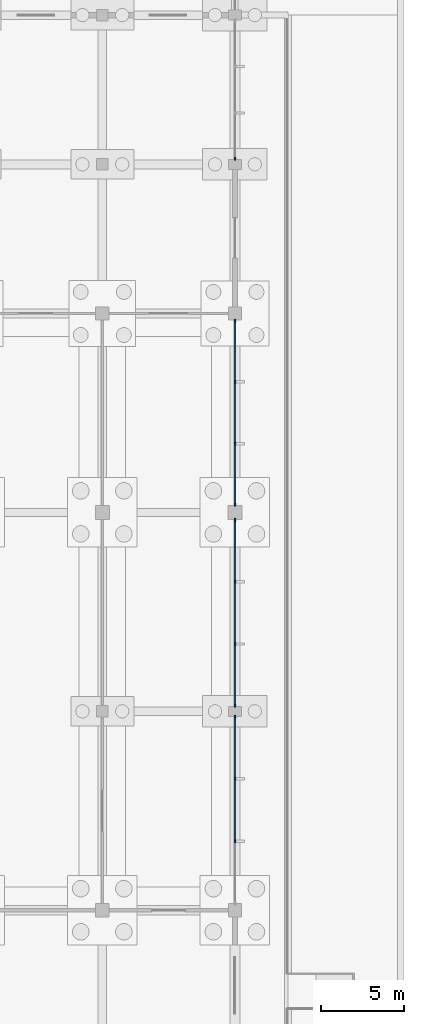
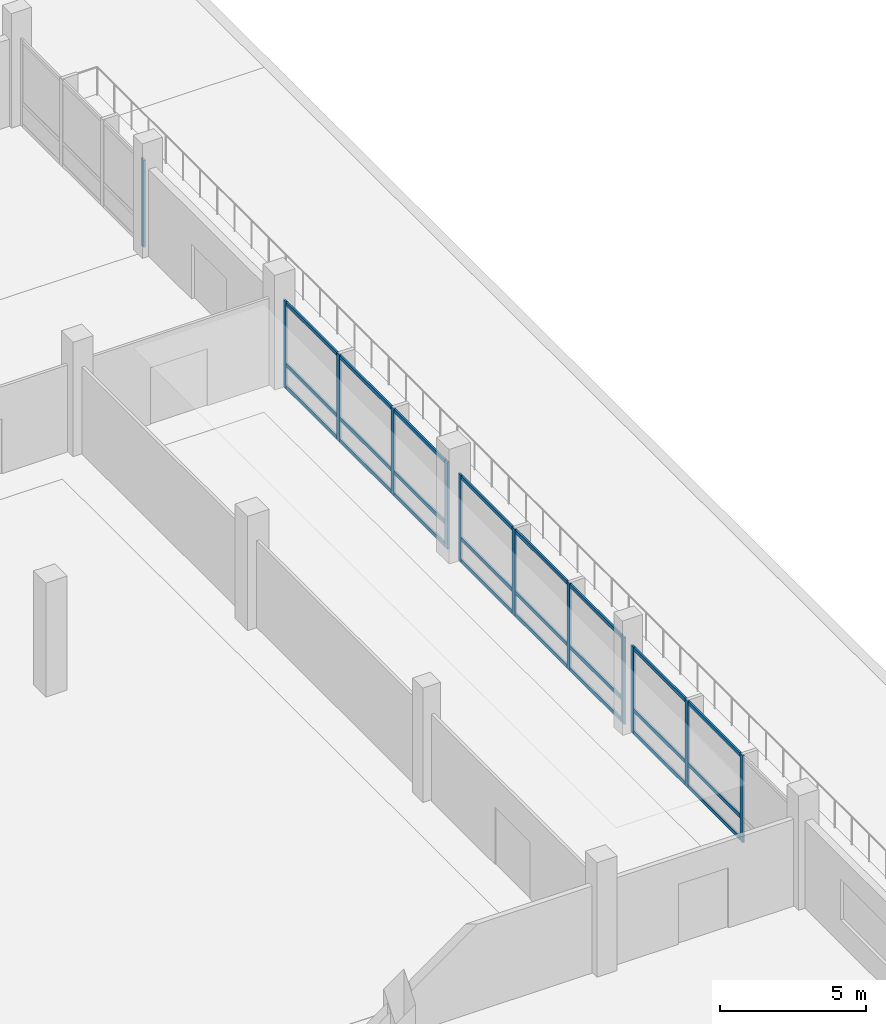
# One storey, part 33 of 72: 36 members, 4 elements without a shape of their own.
"""IFC4 building model written with IfcOpenShell, lengths in metres."""

from ifc_helpers import new_model, si_unit, direction, frame, origin, origin_2d, place, context, subcontext, project, spatial, rectangle, extrude, material, material_profile, profile_set, type_object, element, aggregate, save


model = new_model("IFC4")

# Units and contexts
model_context = context("Model", 3, precision=1e-05, world=origin(), true_north=direction((0.0, 1.0)))
body_context = subcontext(model_context, "Body", "Model", "MODEL_VIEW")
ifc_project = project(units=[si_unit("LENGTHUNIT", "METRE"), si_unit("AREAUNIT", "SQUARE_METRE"), si_unit("VOLUMEUNIT", "CUBIC_METRE"), si_unit("PLANEANGLEUNIT", "RADIAN"), si_unit("MASSUNIT", "GRAM", prefix="KILO"), si_unit("THERMODYNAMICTEMPERATUREUNIT", "KELVIN"), si_unit("POWERUNIT", "WATT")], contexts=[model_context])

# Site, building, storey
site_placement = place(None, origin())
site = spatial("IfcSite", under=ifc_project, at=site_placement, CompositionType="ELEMENT")
building_placement = place(site_placement, origin())
building = spatial("IfcBuilding", under=site, at=building_placement, Name="Kronsvod Quay Wholesale Market", CompositionType="ELEMENT")
storey_placement = place(building_placement, origin())
storey = spatial("IfcBuildingStorey", under=building, at=storey_placement, Name="L00", CompositionType="ELEMENT", Elevation=0.0)

# Curtain wall, members
ifc_material_1 = material(Name="Thermally broken aluminium and triple low-E glazing", Category="aluminium")
curtain_wall_type_1 = type_object("IfcCurtainWallType", Name="CW_Flower120x32", PredefinedType="NOTDEFINED", material=ifc_material_1)
curtain_wall_1_placement = place(storey_placement, origin())
curtain_wall_1 = element("IfcCurtainWall", 1, at=curtain_wall_1_placement, inside=storey, type_object=curtain_wall_type_1, Name="CWGY-L00-1920-540", PredefinedType="NOTDEFINED")
ifc_material_2 = material(Name="Anodised aluminium", Category="aluminium")
ifc_material_profile_1 = material_profile(ifc_material_2, rectangle(XDim=0.074951171875, YDim=0.199951171875, at=origin_2d()), Name="ALUM75x200")
ifc_profile_set_1 = profile_set([ifc_material_profile_1], Name="Anodised aluminium")
member_type_1 = type_object("IfcMemberType", Name="Mullion_ALU75x200", PredefinedType="MULLION", material=ifc_profile_set_1)
member_1_placement = place(storey_placement, frame((192.0, 58.1650390625, 0.0), z_axis=(0.0, 0.0, 1.0), x_axis=(1.0, 0.0, 0.0)))
member_1 = element("IfcMember", 2, at=member_1_placement, type_object=member_type_1, Name="CWGY-L00-1920-540-M2", PredefinedType="MULLION", context=body_context, shape_type="SweptSolid", body=[
    extrude(rectangle(XDim=0.074951171875, YDim=0.199951171875, at=origin_2d()), origin(), (0.0, 0.0, 1.0), 3.64990234375),
])
member_2_placement = place(storey_placement, frame((192.0, 61.93505859375, 0.0), z_axis=(0.0, 0.0, 1.0), x_axis=(1.0, 0.0, 0.0)))
member_2 = element("IfcMember", 3, at=member_2_placement, type_object=member_type_1, Name="CWGY-L00-1920-540-M3", PredefinedType="MULLION", context=body_context, shape_type="SweptSolid", body=[
    extrude(rectangle(XDim=0.074951171875, YDim=0.199951171875, at=origin_2d()), origin(), (0.0, 0.0, 1.0), 3.64990234375),
])
member_3_placement = place(storey_placement, frame((192.0, 65.66748046875, 0.0), z_axis=(0.0, 0.0, 1.0), x_axis=(1.0, 0.0, 0.0)))
member_3 = element("IfcMember", 4, at=member_3_placement, type_object=member_type_1, Name="CWGY-L00-1920-540-M4", PredefinedType="MULLION", context=body_context, shape_type="SweptSolid", body=[
    extrude(rectangle(XDim=0.074951171875, YDim=0.199951171875, at=origin_2d()), origin(), (0.0, 0.0, 1.0), 3.64990234375),
])

curtain_wall_2_placement = place(storey_placement, origin())
curtain_wall_2 = element("IfcCurtainWall", 5, at=curtain_wall_2_placement, inside=storey, type_object=curtain_wall_type_1, Name="CWGY-L00-1920-660", PredefinedType="NOTDEFINED")
member_4_placement = place(storey_placement, frame((192.0, 66.33251953125, 0.0), z_axis=(0.0, 0.0, 1.0), x_axis=(1.0, 0.0, 0.0)))
member_4 = element("IfcMember", 6, at=member_4_placement, type_object=member_type_1, Name="CWGY-L00-1920-660-M1", PredefinedType="MULLION", context=body_context, shape_type="SweptSolid", body=[
    extrude(rectangle(XDim=0.074951171875, YDim=0.199951171875, at=origin_2d()), origin(), (0.0, 0.0, 1.0), 3.64990234375),
])
member_5_placement = place(storey_placement, frame((192.0, 70.056640625, 0.0), z_axis=(0.0, 0.0, 1.0), x_axis=(1.0, 0.0, 0.0)))
member_5 = element("IfcMember", 7, at=member_5_placement, type_object=member_type_1, Name="CWGY-L00-1920-660-M2", PredefinedType="MULLION", context=body_context, shape_type="SweptSolid", body=[
    extrude(rectangle(XDim=0.074951171875, YDim=0.199951171875, at=origin_2d()), origin(), (0.0, 0.0, 1.0), 3.64990234375),
])
member_6_placement = place(storey_placement, frame((192.0, 73.818359375, 0.0), z_axis=(0.0, 0.0, 1.0), x_axis=(1.0, 0.0, 0.0)))
member_6 = element("IfcMember", 8, at=member_6_placement, type_object=member_type_1, Name="CWGY-L00-1920-660-M3", PredefinedType="MULLION", context=body_context, shape_type="SweptSolid", body=[
    extrude(rectangle(XDim=0.074951171875, YDim=0.199951171875, at=origin_2d()), origin(), (0.0, 0.0, 1.0), 3.64990234375),
])
member_7_placement = place(storey_placement, frame((192.0, 77.54248046875, 0.0), z_axis=(0.0, 0.0, 1.0), x_axis=(1.0, 0.0, 0.0)))
member_7 = element("IfcMember", 9, at=member_7_placement, type_object=member_type_1, Name="CWGY-L00-1920-660-M4", PredefinedType="MULLION", context=body_context, shape_type="SweptSolid", body=[
    extrude(rectangle(XDim=0.074951171875, YDim=0.199951171875, at=origin_2d()), origin(), (0.0, 0.0, 1.0), 3.64990234375),
])

curtain_wall_3_placement = place(storey_placement, origin())
curtain_wall_3 = element("IfcCurtainWall", 10, at=curtain_wall_3_placement, inside=storey, type_object=curtain_wall_type_1, Name="CWGY-L00-1920-780", PredefinedType="NOTDEFINED")
member_8_placement = place(storey_placement, frame((192.0, 78.45751953125, 0.0), z_axis=(0.0, 0.0, 1.0), x_axis=(1.0, 0.0, 0.0)))
member_8 = element("IfcMember", 11, at=member_8_placement, type_object=member_type_1, Name="CWGY-L00-1920-780-M1", PredefinedType="MULLION", context=body_context, shape_type="SweptSolid", body=[
    extrude(rectangle(XDim=0.074951171875, YDim=0.199951171875, at=origin_2d()), origin(), (0.0, 0.0, 1.0), 3.64990234375),
])
member_9_placement = place(storey_placement, frame((192.0, 82.1484375, 0.0), z_axis=(0.0, 0.0, 1.0), x_axis=(1.0, 0.0, 0.0)))
member_9 = element("IfcMember", 12, at=member_9_placement, type_object=member_type_1, Name="CWGY-L00-1920-780-M2", PredefinedType="MULLION", context=body_context, shape_type="SweptSolid", body=[
    extrude(rectangle(XDim=0.074951171875, YDim=0.199951171875, at=origin_2d()), origin(), (0.0, 0.0, 1.0), 3.64990234375),
])
member_10_placement = place(storey_placement, frame((192.0, 85.876708984375, 0.0), z_axis=(0.0, 0.0, 1.0), x_axis=(1.0, 0.0, 0.0)))
member_10 = element("IfcMember", 13, at=member_10_placement, type_object=member_type_1, Name="CWGY-L00-1920-780-M3", PredefinedType="MULLION", context=body_context, shape_type="SweptSolid", body=[
    extrude(rectangle(XDim=0.074951171875, YDim=0.199951171875, at=origin_2d()), origin(), (0.0, 0.0, 1.0), 3.64990234375),
])
member_11_placement = place(storey_placement, frame((192.0, 89.5673828125, 0.0), z_axis=(0.0, 0.0, 1.0), x_axis=(1.0, 0.0, 0.0)))
member_11 = element("IfcMember", 14, at=member_11_placement, type_object=member_type_1, Name="CWGY-L00-1920-780-M4", PredefinedType="MULLION", context=body_context, shape_type="SweptSolid", body=[
    extrude(rectangle(XDim=0.074951171875, YDim=0.199951171875, at=origin_2d()), origin(), (0.0, 0.0, 1.0), 3.64990234375),
])

# Curtain wall, member
ifc_material_3 = material(Name="Thermally broken aluminium and triple low-E glazing", Category="aluminium")
curtain_wall_type_2 = type_object("IfcCurtainWallType", Name="CW_Wing90x33", PredefinedType="NOTDEFINED", material=ifc_material_3)
curtain_wall_4_placement = place(storey_placement, origin())
curtain_wall_4 = element("IfcCurtainWall", 15, at=curtain_wall_4_placement, inside=storey, type_object=curtain_wall_type_2, Name="CWGY-L00-1920-990", PredefinedType="NOTDEFINED")
member_12_placement = place(storey_placement, frame((192.0, 99.33251953125, 0.0), z_axis=(0.0, 0.0, 1.0), x_axis=(1.0, 0.0, 0.0)))
member_12 = element("IfcMember", 16, at=member_12_placement, type_object=member_type_1, Name="CWGY-L00-1920-990-M1", PredefinedType="MULLION", context=body_context, shape_type="SweptSolid", body=[
    extrude(rectangle(XDim=0.074951171875, YDim=0.199951171875, at=origin_2d()), origin(), (0.0, 0.0, 1.0), 3.64990234375),
])
aggregate(curtain_wall_4, [member_12])

# Member
ifc_material_4 = material(Name="Anodised aluminium", Category="aluminium")
ifc_material_profile_2 = material_profile(ifc_material_4, rectangle(XDim=0.074951171875, YDim=0.14990234375, at=origin_2d()), Name="ALUT75x150")
ifc_profile_set_2 = profile_set([ifc_material_profile_2], Name="Anodised aluminium")
member_type_2 = type_object("IfcMemberType", Name="Transom_ALU75x150", PredefinedType="USERDEFINED", material=ifc_profile_set_2)
member_13_placement = place(storey_placement, frame((192.0, 58.202392578125, 0.074951171875), z_axis=(0.0, 1.0, 0.0), x_axis=(-1.0, 0.0, 0.0)))
member_13 = element("IfcMember", 17, at=member_13_placement, type_object=member_type_2, Name="CWGY-L00-1920-540-T1B2", ObjectType="TRANSOM", PredefinedType="USERDEFINED", context=body_context, shape_type="SweptSolid", body=[
    extrude(rectangle(XDim=0.074951171875, YDim=0.14990234375, at=origin_2d()), origin(), (0.0, 0.0, 1.0), 3.695068359375),
])

member_14_placement = place(storey_placement, frame((192.0, 61.972412109375, 0.074951171875), z_axis=(0.0, 1.0, 0.0), x_axis=(-1.0, 0.0, 0.0)))
member_14 = element("IfcMember", 18, at=member_14_placement, type_object=member_type_2, Name="CWGY-L00-1920-540-T1B3", ObjectType="TRANSOM", PredefinedType="USERDEFINED", context=body_context, shape_type="SweptSolid", body=[
    extrude(rectangle(XDim=0.074951171875, YDim=0.14990234375, at=origin_2d()), origin(), (0.0, 0.0, 1.0), 3.657470703125),
])

member_15_placement = place(storey_placement, frame((192.0, 58.202392578125, 1.0), z_axis=(0.0, 1.0, 0.0), x_axis=(-1.0, 0.0, 0.0)))
member_15 = element("IfcMember", 19, at=member_15_placement, type_object=member_type_2, Name="CWGY-L00-1920-540-T2B2", ObjectType="TRANSOM", PredefinedType="USERDEFINED", context=body_context, shape_type="SweptSolid", body=[
    extrude(rectangle(XDim=0.074951171875, YDim=0.14990234375, at=origin_2d()), origin(), (0.0, 0.0, 1.0), 3.695068359375),
])

member_16_placement = place(storey_placement, frame((192.0, 61.972412109375, 1.0), z_axis=(0.0, 1.0, 0.0), x_axis=(-1.0, 0.0, 0.0)))
member_16 = element("IfcMember", 20, at=member_16_placement, type_object=member_type_2, Name="CWGY-L00-1920-540-T2B3", ObjectType="TRANSOM", PredefinedType="USERDEFINED", context=body_context, shape_type="SweptSolid", body=[
    extrude(rectangle(XDim=0.074951171875, YDim=0.14990234375, at=origin_2d()), origin(), (0.0, 0.0, 1.0), 3.657470703125),
])

member_17_placement = place(storey_placement, frame((192.0, 58.202392578125, 3.574951171875), z_axis=(0.0, 1.0, 0.0), x_axis=(-1.0, 0.0, 0.0)))
member_17 = element("IfcMember", 21, at=member_17_placement, type_object=member_type_2, Name="CWGY-L00-1920-540-T3B2", ObjectType="TRANSOM", PredefinedType="USERDEFINED", context=body_context, shape_type="SweptSolid", body=[
    extrude(rectangle(XDim=0.074951171875, YDim=0.14990234375, at=origin_2d()), origin(), (0.0, 0.0, 1.0), 3.695068359375),
])

member_18_placement = place(storey_placement, frame((192.0, 61.972412109375, 3.574951171875), z_axis=(0.0, 1.0, 0.0), x_axis=(-1.0, 0.0, 0.0)))
member_18 = element("IfcMember", 22, at=member_18_placement, type_object=member_type_2, Name="CWGY-L00-1920-540-T3B3", ObjectType="TRANSOM", PredefinedType="USERDEFINED", context=body_context, shape_type="SweptSolid", body=[
    extrude(rectangle(XDim=0.074951171875, YDim=0.14990234375, at=origin_2d()), origin(), (0.0, 0.0, 1.0), 3.657470703125),
])

aggregate(curtain_wall_1, [member_1, member_2, member_3, member_13, member_14, member_15, member_16, member_17, member_18])

member_19_placement = place(storey_placement, frame((192.0, 66.3701171875, 0.074951171875), z_axis=(0.0, 1.0, 0.0), x_axis=(-1.0, 0.0, 0.0)))
member_19 = element("IfcMember", 23, at=member_19_placement, type_object=member_type_2, Name="CWGY-L00-1920-660-T1B1", ObjectType="TRANSOM", PredefinedType="USERDEFINED", context=body_context, shape_type="SweptSolid", body=[
    extrude(rectangle(XDim=0.074951171875, YDim=0.14990234375, at=origin_2d()), origin(), (0.0, 0.0, 1.0), 3.649169921875),
])

member_20_placement = place(storey_placement, frame((192.0, 70.09423828125, 0.074951171875), z_axis=(0.0, 1.0, 0.0), x_axis=(-1.0, 0.0, 0.0)))
member_20 = element("IfcMember", 24, at=member_20_placement, type_object=member_type_2, Name="CWGY-L00-1920-660-T1B2", ObjectType="TRANSOM", PredefinedType="USERDEFINED", context=body_context, shape_type="SweptSolid", body=[
    extrude(rectangle(XDim=0.074951171875, YDim=0.14990234375, at=origin_2d()), origin(), (0.0, 0.0, 1.0), 3.6865234375),
])

member_21_placement = place(storey_placement, frame((192.0, 73.855712890625, 0.074951171875), z_axis=(0.0, 1.0, 0.0), x_axis=(-1.0, 0.0, 0.0)))
member_21 = element("IfcMember", 25, at=member_21_placement, type_object=member_type_2, Name="CWGY-L00-1920-660-T1B3", ObjectType="TRANSOM", PredefinedType="USERDEFINED", context=body_context, shape_type="SweptSolid", body=[
    extrude(rectangle(XDim=0.074951171875, YDim=0.14990234375, at=origin_2d()), origin(), (0.0, 0.0, 1.0), 3.649169921875),
])

member_22_placement = place(storey_placement, frame((192.0, 66.3701171875, 1.0), z_axis=(0.0, 1.0, 0.0), x_axis=(-1.0, 0.0, 0.0)))
member_22 = element("IfcMember", 26, at=member_22_placement, type_object=member_type_2, Name="CWGY-L00-1920-660-T2B1", ObjectType="TRANSOM", PredefinedType="USERDEFINED", context=body_context, shape_type="SweptSolid", body=[
    extrude(rectangle(XDim=0.074951171875, YDim=0.14990234375, at=origin_2d()), origin(), (0.0, 0.0, 1.0), 3.649169921875),
])

member_23_placement = place(storey_placement, frame((192.0, 70.09423828125, 1.0), z_axis=(0.0, 1.0, 0.0), x_axis=(-1.0, 0.0, 0.0)))
member_23 = element("IfcMember", 27, at=member_23_placement, type_object=member_type_2, Name="CWGY-L00-1920-660-T2B2", ObjectType="TRANSOM", PredefinedType="USERDEFINED", context=body_context, shape_type="SweptSolid", body=[
    extrude(rectangle(XDim=0.074951171875, YDim=0.14990234375, at=origin_2d()), origin(), (0.0, 0.0, 1.0), 3.6865234375),
])

member_24_placement = place(storey_placement, frame((192.0, 73.855712890625, 1.0), z_axis=(0.0, 1.0, 0.0), x_axis=(-1.0, 0.0, 0.0)))
member_24 = element("IfcMember", 28, at=member_24_placement, type_object=member_type_2, Name="CWGY-L00-1920-660-T2B3", ObjectType="TRANSOM", PredefinedType="USERDEFINED", context=body_context, shape_type="SweptSolid", body=[
    extrude(rectangle(XDim=0.074951171875, YDim=0.14990234375, at=origin_2d()), origin(), (0.0, 0.0, 1.0), 3.649169921875),
])

member_25_placement = place(storey_placement, frame((192.0, 66.3701171875, 3.574951171875), z_axis=(0.0, 1.0, 0.0), x_axis=(-1.0, 0.0, 0.0)))
member_25 = element("IfcMember", 29, at=member_25_placement, type_object=member_type_2, Name="CWGY-L00-1920-660-T3B1", ObjectType="TRANSOM", PredefinedType="USERDEFINED", context=body_context, shape_type="SweptSolid", body=[
    extrude(rectangle(XDim=0.074951171875, YDim=0.14990234375, at=origin_2d()), origin(), (0.0, 0.0, 1.0), 3.649169921875),
])

member_26_placement = place(storey_placement, frame((192.0, 70.09423828125, 3.574951171875), z_axis=(0.0, 1.0, 0.0), x_axis=(-1.0, 0.0, 0.0)))
member_26 = element("IfcMember", 30, at=member_26_placement, type_object=member_type_2, Name="CWGY-L00-1920-660-T3B2", ObjectType="TRANSOM", PredefinedType="USERDEFINED", context=body_context, shape_type="SweptSolid", body=[
    extrude(rectangle(XDim=0.074951171875, YDim=0.14990234375, at=origin_2d()), origin(), (0.0, 0.0, 1.0), 3.6865234375),
])

member_27_placement = place(storey_placement, frame((192.0, 73.855712890625, 3.574951171875), z_axis=(0.0, 1.0, 0.0), x_axis=(-1.0, 0.0, 0.0)))
member_27 = element("IfcMember", 31, at=member_27_placement, type_object=member_type_2, Name="CWGY-L00-1920-660-T3B3", ObjectType="TRANSOM", PredefinedType="USERDEFINED", context=body_context, shape_type="SweptSolid", body=[
    extrude(rectangle(XDim=0.074951171875, YDim=0.14990234375, at=origin_2d()), origin(), (0.0, 0.0, 1.0), 3.649169921875),
])

aggregate(curtain_wall_2, [member_4, member_5, member_6, member_7, member_19, member_20, member_21, member_22, member_23, member_24, member_25, member_26, member_27])

member_28_placement = place(storey_placement, frame((192.0, 78.4951171875, 0.074951171875), z_axis=(0.0, 1.0, 0.0), x_axis=(-1.0, 0.0, 0.0)))
member_28 = element("IfcMember", 32, at=member_28_placement, type_object=member_type_2, Name="CWGY-L00-1920-780-T1B1", ObjectType="TRANSOM", PredefinedType="USERDEFINED", context=body_context, shape_type="SweptSolid", body=[
    extrude(rectangle(XDim=0.074951171875, YDim=0.14990234375, at=origin_2d()), origin(), (0.0, 0.0, 1.0), 3.61572265625),
])

member_29_placement = place(storey_placement, frame((192.0, 82.185791015625, 0.074951171875), z_axis=(0.0, 1.0, 0.0), x_axis=(-1.0, 0.0, 0.0)))
member_29 = element("IfcMember", 33, at=member_29_placement, type_object=member_type_2, Name="CWGY-L00-1920-780-T1B2", ObjectType="TRANSOM", PredefinedType="USERDEFINED", context=body_context, shape_type="SweptSolid", body=[
    extrude(rectangle(XDim=0.074951171875, YDim=0.14990234375, at=origin_2d()), origin(), (0.0, 0.0, 1.0), 3.6533203125),
])

member_30_placement = place(storey_placement, frame((192.0, 85.9140625, 0.074951171875), z_axis=(0.0, 1.0, 0.0), x_axis=(-1.0, 0.0, 0.0)))
member_30 = element("IfcMember", 34, at=member_30_placement, type_object=member_type_2, Name="CWGY-L00-1920-780-T1B3", ObjectType="TRANSOM", PredefinedType="USERDEFINED", context=body_context, shape_type="SweptSolid", body=[
    extrude(rectangle(XDim=0.074951171875, YDim=0.14990234375, at=origin_2d()), origin(), (0.0, 0.0, 1.0), 3.615966796875),
])

member_31_placement = place(storey_placement, frame((192.0, 78.4951171875, 1.0), z_axis=(0.0, 1.0, 0.0), x_axis=(-1.0, 0.0, 0.0)))
member_31 = element("IfcMember", 35, at=member_31_placement, type_object=member_type_2, Name="CWGY-L00-1920-780-T2B1", ObjectType="TRANSOM", PredefinedType="USERDEFINED", context=body_context, shape_type="SweptSolid", body=[
    extrude(rectangle(XDim=0.074951171875, YDim=0.14990234375, at=origin_2d()), origin(), (0.0, 0.0, 1.0), 3.61572265625),
])

member_32_placement = place(storey_placement, frame((192.0, 82.185791015625, 1.0), z_axis=(0.0, 1.0, 0.0), x_axis=(-1.0, 0.0, 0.0)))
member_32 = element("IfcMember", 36, at=member_32_placement, type_object=member_type_2, Name="CWGY-L00-1920-780-T2B2", ObjectType="TRANSOM", PredefinedType="USERDEFINED", context=body_context, shape_type="SweptSolid", body=[
    extrude(rectangle(XDim=0.074951171875, YDim=0.14990234375, at=origin_2d()), origin(), (0.0, 0.0, 1.0), 3.6533203125),
])

member_33_placement = place(storey_placement, frame((192.0, 85.9140625, 1.0), z_axis=(0.0, 1.0, 0.0), x_axis=(-1.0, 0.0, 0.0)))
member_33 = element("IfcMember", 37, at=member_33_placement, type_object=member_type_2, Name="CWGY-L00-1920-780-T2B3", ObjectType="TRANSOM", PredefinedType="USERDEFINED", context=body_context, shape_type="SweptSolid", body=[
    extrude(rectangle(XDim=0.074951171875, YDim=0.14990234375, at=origin_2d()), origin(), (0.0, 0.0, 1.0), 3.615966796875),
])

member_34_placement = place(storey_placement, frame((192.0, 78.4951171875, 3.574951171875), z_axis=(0.0, 1.0, 0.0), x_axis=(-1.0, 0.0, 0.0)))
member_34 = element("IfcMember", 38, at=member_34_placement, type_object=member_type_2, Name="CWGY-L00-1920-780-T3B1", ObjectType="TRANSOM", PredefinedType="USERDEFINED", context=body_context, shape_type="SweptSolid", body=[
    extrude(rectangle(XDim=0.074951171875, YDim=0.14990234375, at=origin_2d()), origin(), (0.0, 0.0, 1.0), 3.61572265625),
])

member_35_placement = place(storey_placement, frame((192.0, 82.185791015625, 3.574951171875), z_axis=(0.0, 1.0, 0.0), x_axis=(-1.0, 0.0, 0.0)))
member_35 = element("IfcMember", 39, at=member_35_placement, type_object=member_type_2, Name="CWGY-L00-1920-780-T3B2", ObjectType="TRANSOM", PredefinedType="USERDEFINED", context=body_context, shape_type="SweptSolid", body=[
    extrude(rectangle(XDim=0.074951171875, YDim=0.14990234375, at=origin_2d()), origin(), (0.0, 0.0, 1.0), 3.6533203125),
])

member_36_placement = place(storey_placement, frame((192.0, 85.9140625, 3.574951171875), z_axis=(0.0, 1.0, 0.0), x_axis=(-1.0, 0.0, 0.0)))
member_36 = element("IfcMember", 40, at=member_36_placement, type_object=member_type_2, Name="CWGY-L00-1920-780-T3B3", ObjectType="TRANSOM", PredefinedType="USERDEFINED", context=body_context, shape_type="SweptSolid", body=[
    extrude(rectangle(XDim=0.074951171875, YDim=0.14990234375, at=origin_2d()), origin(), (0.0, 0.0, 1.0), 3.615966796875),
])

aggregate(curtain_wall_3, [member_8, member_9, member_10, member_11, member_28, member_29, member_30, member_31, member_32, member_33, member_34, member_35, member_36])

save(model, "model.ifc")
